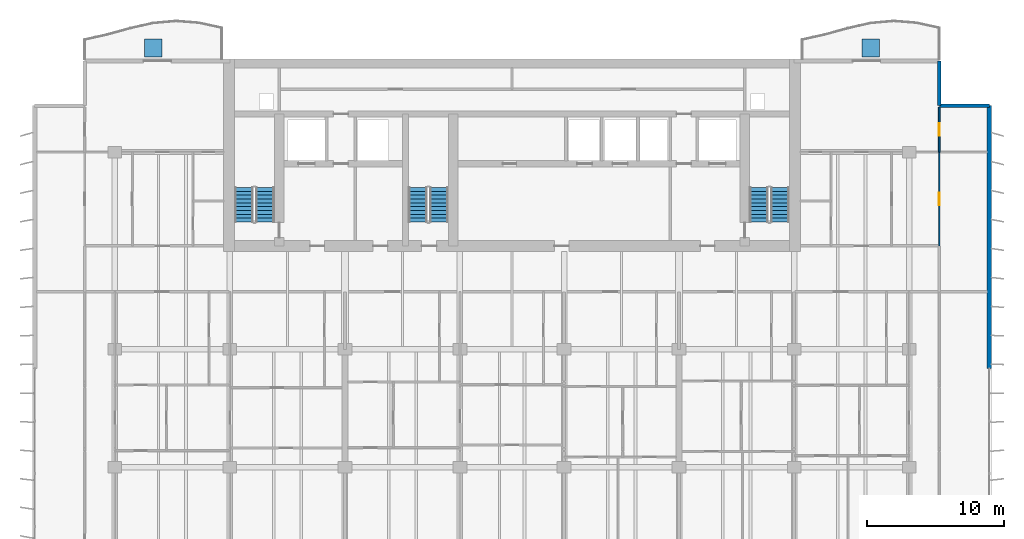
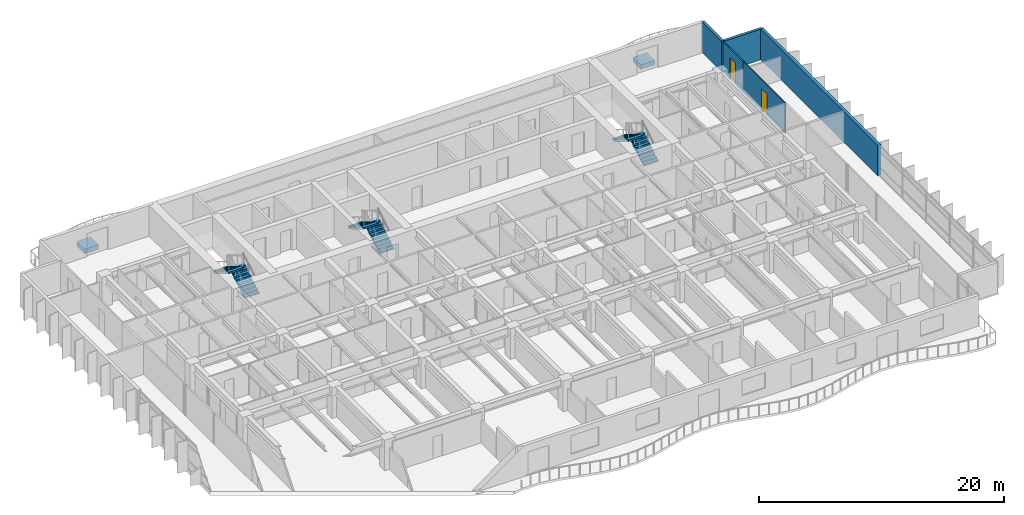
# One storey, part 15 of 19: 6 stair flights, 5 walls, 2 discrete accessories, 2 doors, 2 openings, 3 elements without a shape of their own.
"""IFC4 building model written with IfcOpenShell, lengths in metres."""

from ifc_helpers import new_model, si_unit, direction, frame, frame_2d, origin, origin_2d, place, context, subcontext, project, spatial, polyline, rectangle, outline, extrude, material, layer, layer_set, type_object, element, fill, aggregate, save


model = new_model("IFC4")

# Units and contexts
model_context = context("Model", 3, precision=1e-05, world=origin(), true_north=direction((0.0, 1.0)))
body_context = subcontext(model_context, "Body", "Model", "MODEL_VIEW")
ifc_project = project(units=[si_unit("LENGTHUNIT", "METRE"), si_unit("AREAUNIT", "SQUARE_METRE"), si_unit("VOLUMEUNIT", "CUBIC_METRE"), si_unit("PLANEANGLEUNIT", "RADIAN"), si_unit("MASSUNIT", "GRAM", prefix="KILO")], contexts=[model_context])

# Site, building, storey
site_placement = place(None, origin())
site = spatial("IfcSite", under=ifc_project, at=site_placement, CompositionType="ELEMENT")
building_placement = place(site_placement, origin())
building = spatial("IfcBuilding", under=site, at=building_placement, Name="Caelmar Bay Residences", CompositionType="ELEMENT")
storey_placement = place(building_placement, frame((0.0, 0.0, 115.800048828125)))
storey = spatial("IfcBuildingStorey", under=building, at=storey_placement, Name="L31", CompositionType="ELEMENT", Elevation=115.800048828125)

# Walls
ifc_material_1 = material(Name="Precast concrete f'c 40 MPa (6,000 psi)", Category="concrete")
ifc_layer_1 = layer(ifc_material_1, 0.25)
ifc_layer_set_1 = layer_set([ifc_layer_1], Name="Precast concrete f'c 40 MPa (6,000 psi)")
wall_type_1 = type_object("IfcWallType", Name="W-EXT-250", PredefinedType="ELEMENTEDWALL", material=ifc_layer_set_1)
wall_1_placement = place(storey_placement, frame((70.10009765625, 50.449951171875, 0.0), z_axis=(0.0, 0.0, 1.0), x_axis=(0.0, -1.0, 0.0)))
element("IfcWall", 1, at=wall_1_placement, inside=storey, type_object=wall_type_1, Name="L31 NNE-V Notch Wall", PredefinedType="ELEMENTEDWALL", context=body_context, shape_type="SweptSolid", body=[
    extrude(rectangle(XDim=3.25, YDim=0.25, at=frame_2d((1.625, 0.0))), origin(), (0.0, 0.0, 1.0), 3.050048828125),
])
wall_2_placement = place(storey_placement, frame((70.10009765625, 47.199951171875, 0.0), z_axis=(0.0, 0.0, 1.0), x_axis=(1.0, 0.0, 0.0)))
element("IfcWall", 2, at=wall_2_placement, inside=storey, type_object=wall_type_1, Name="L31 NNE-H Notch Wall", PredefinedType="ELEMENTEDWALL", context=body_context, shape_type="SweptSolid", body=[
    extrude(rectangle(XDim=3.64990234375, YDim=0.25, at=frame_2d((1.824951171875, 0.0))), origin(), (0.0, 0.0, 1.0), 3.050048828125),
])
ifc_layer_2 = layer(ifc_material_1, 0.300048828125)
ifc_layer_set_2 = layer_set([ifc_layer_2], Name="Precast concrete f'c 40 MPa (6,000 psi)")
wall_type_2 = type_object("IfcWallType", Name="W-EXT-300", PredefinedType="STANDARD", material=ifc_layer_set_2)
wall_3_placement = place(storey_placement, frame((73.75, 47.199951171875, 0.0), z_axis=(0.0, 0.0, 1.0), x_axis=(0.0, -1.0, 0.0)))
element("IfcWall", 3, at=wall_3_placement, inside=storey, type_object=wall_type_2, Name="L31 East Rear Exterior Wall", PredefinedType="STANDARD", context=body_context, shape_type="SweptSolid", body=[
    extrude(rectangle(XDim=19.199951171875, YDim=0.300048828125, at=frame_2d((9.60009765625, 0.0))), origin(), (0.0, 0.0, 1.0), 3.050048828125),
])

# Wall, opening, door
ifc_material_2 = material(Name="Anodised bronze framed acoustic sliding study partition 100 mm")
ifc_layer_3 = layer(ifc_material_2, 0.10009765625)
ifc_layer_set_3 = layer_set([ifc_layer_3], Name="Anodised bronze framed acoustic sliding study partition 100 mm")
wall_type_3 = type_object("IfcWallType", Name="W-MOV-100", PredefinedType="MOVABLE", material=ifc_layer_set_3)
wall_4_placement = place(storey_placement, frame((70.10009765625, 36.955078125, 0.0), z_axis=(0.0, 0.0, 1.0), x_axis=(0.0, 1.0, 0.0)))
wall_4 = element("IfcWall", 4, at=wall_4_placement, inside=storey, type_object=wall_type_3, Name="L31 Partition Wall V118", PredefinedType="MOVABLE", context=body_context, shape_type="SweptSolid", body=[
    extrude(rectangle(XDim=6.844970703125, YDim=0.10009765625, at=frame_2d((3.42236328125, 0.0))), origin(), (0.0, 0.0, 1.0), 3.050048828125),
])
opening_1_placement = place(wall_4_placement, frame((2.972412109375, 0.0, 0.0)))
opening_1 = element("IfcOpeningElement", 5, at=opening_1_placement, cuts=wall_4, Name="Opening D-L31-176", PredefinedType="OPENING", context=body_context, shape_type="SweptSolid", body=[
    extrude(rectangle(XDim=0.89990234375, YDim=2.14990234375, at=frame_2d((0.449951171875, 1.074951171875))), frame((0.0, 0.06005859375, 0.0), z_axis=(0.0, -1.0, 0.0), x_axis=(1.0, 0.0, 0.0)), (0.0, 0.0, 1.0), 0.1201171875),
])
ifc_material_3 = material(Name="Solid walnut timber interior door leaf and frame", Category="wood")
ifc_layer_4 = layer(ifc_material_3, 0.050048828125)
ifc_layer_set_4 = layer_set([ifc_layer_4], Name="Solid walnut timber interior door leaf and frame")
door_type = type_object("IfcDoorType", Name="D-ROOM-900", OperationType="NOTDEFINED", PredefinedType="DOOR", material=ifc_layer_set_4)
door_1_placement = place(opening_1_placement, origin())
door_1 = element("IfcDoor", 6, at=door_1_placement, inside=storey, type_object=door_type, Name="L31 Residence EA Sun Study Door", OperationType="SINGLE_SWING_LEFT", OverallHeight=2.14990234375, OverallWidth=0.89990234375, PredefinedType="DOOR", context=body_context, shape_type="SweptSolid", body=[
    extrude(rectangle(XDim=0.89990234375, YDim=2.14990234375, at=frame_2d((0.449951171875, 1.074951171875))), frame((0.0, 0.02490234375, 0.0), z_axis=(0.0, -1.0, 0.0), x_axis=(1.0, 0.0, 0.0)), (0.0, 0.0, 1.0), 0.050048828125),
])
fill(opening_1, door_1)

ifc_material_4 = material(Name="Acoustic metal-stud gypsum partition 120 mm")
ifc_layer_5 = layer(ifc_material_4, 0.1201171875)
ifc_layer_set_5 = layer_set([ifc_layer_5], Name="Acoustic metal-stud gypsum partition 120 mm")
wall_type_4 = type_object("IfcWallType", Name="W-PRT-120", PredefinedType="PARTITIONING", material=ifc_layer_set_5)
wall_5_placement = place(storey_placement, frame((70.10009765625, 43.804931640625, 0.0), z_axis=(0.0, 0.0, 1.0), x_axis=(0.0, 1.0, 0.0)))
wall_5 = element("IfcWall", 7, at=wall_5_placement, inside=storey, type_object=wall_type_4, Name="L31 Partition Wall V119", PredefinedType="PARTITIONING", context=body_context, shape_type="SweptSolid", body=[
    extrude(rectangle(XDim=3.275146484375, YDim=0.1201171875, at=frame_2d((1.6376953125, 0.0))), origin(), (0.0, 0.0, 1.0), 3.050048828125),
])
opening_2_placement = place(wall_5_placement, frame((1.1875, 0.0, 0.0)))
opening_2 = element("IfcOpeningElement", 8, at=opening_2_placement, cuts=wall_5, Name="Opening D-L31-177", PredefinedType="OPENING", context=body_context, shape_type="SweptSolid", body=[
    extrude(rectangle(XDim=0.89990234375, YDim=2.14990234375, at=frame_2d((0.449951171875, 1.074951171875))), frame((0.0, 0.070068359375, 0.0), z_axis=(0.0, -1.0, 0.0), x_axis=(1.0, 0.0, 0.0)), (0.0, 0.0, 1.0), 0.14013671875),
])
door_2_placement = place(opening_2_placement, origin())
door_2 = element("IfcDoor", 9, at=door_2_placement, inside=storey, type_object=door_type, Name="L31 Residence EA North Sitting Alcove Door", OperationType="SINGLE_SWING_RIGHT", OverallHeight=2.14990234375, OverallWidth=0.89990234375, PredefinedType="DOOR", context=body_context, shape_type="SweptSolid", body=[
    extrude(rectangle(XDim=0.89990234375, YDim=2.14990234375, at=frame_2d((0.449951171875, 1.074951171875))), frame((0.0, 0.02490234375, 0.0), z_axis=(0.0, -1.0, 0.0), x_axis=(1.0, 0.0, 0.0)), (0.0, 0.0, 1.0), 0.050048828125),
])
fill(opening_2, door_2)

# Stair, stair flights
ifc_material_5 = material(Name="Concrete f'c 40 MPa (6,000 psi)", Category="concrete")
stair_type = type_object("IfcStairType", Name="ST-TYP-165", PredefinedType="HALF_TURN_STAIR", material=ifc_material_5)
stair_1_placement = place(storey_placement, origin())
stair_1 = element("IfcStair", 10, at=stair_1_placement, inside=storey, type_object=stair_type, Name="L31 West Smokeproof Exit Stair ST1", PredefinedType="HALF_TURN_STAIR")
stair_flight_type = type_object("IfcStairFlightType", Name="STF-1350", PredefinedType="STRAIGHT", material=ifc_material_5)
stair_flight_1_placement = place(storey_placement, frame((20.875, 38.699951171875, 0.0), z_axis=(0.0, 0.0, 1.0), x_axis=(0.0, 1.0, 0.0)))
stair_flight_1 = element("IfcStairFlight", 11, at=stair_flight_1_placement, type_object=stair_flight_type, Name="ST1 flight 1", NumberOfRisers=10, NumberOfTreads=9, PredefinedType="STRAIGHT", RiserHeight=0.165, TreadLength=0.28, context=body_context, shape_type="SweptSolid", body=[
    extrude(outline(polyline([(0.0, 0.0), (0.0, 0.1650390625), (0.280029296875, 0.1650390625), (0.280029296875, 0.330078125), (0.56005859375, 0.330078125), (0.56005859375, 0.4951171875), (0.840087890625, 0.4951171875), (0.840087890625, 0.659912109375), (1.1201171875, 0.659912109375), (1.1201171875, 0.824951171875), (1.39990234375, 0.824951171875), (1.39990234375, 0.989990234375), (1.679931640625, 0.989990234375), (1.679931640625, 1.155029296875), (1.9599609375, 1.155029296875), (1.9599609375, 1.320068359375), (2.239990234375, 1.320068359375), (2.239990234375, 1.485107421875), (2.52001953125, 1.485107421875), (2.52001953125, 1.64990234375), (2.52001953125, 1.31103515625), (0.295166015625, 0.0), (0.0, 0.0)])), frame((0.0, 0.675048828125, 0.0), z_axis=(0.0, -1.0, 0.0), x_axis=(1.0, 0.0, 0.0)), (0.0, 0.0, 1.0), 1.35009765625),
])
stair_flight_2_placement = place(storey_placement, frame((19.324951171875, 41.219970703125, 1.64990234375), z_axis=(0.0, 0.0, 1.0), x_axis=(0.0, -1.0, 0.0)))
stair_flight_2 = element("IfcStairFlight", 12, at=stair_flight_2_placement, type_object=stair_flight_type, Name="ST1 flight 2", NumberOfRisers=10, NumberOfTreads=9, PredefinedType="STRAIGHT", RiserHeight=0.165, TreadLength=0.28, context=body_context, shape_type="SweptSolid", body=[
    extrude(outline(polyline([(0.0, 0.0), (0.0, 0.1650390625), (0.280029296875, 0.1650390625), (0.280029296875, 0.330078125), (0.56005859375, 0.330078125), (0.56005859375, 0.4951171875), (0.840087890625, 0.4951171875), (0.840087890625, 0.659912109375), (1.1201171875, 0.659912109375), (1.1201171875, 0.824951171875), (1.39990234375, 0.824951171875), (1.39990234375, 0.989990234375), (1.679931640625, 0.989990234375), (1.679931640625, 1.155029296875), (1.9599609375, 1.155029296875), (1.9599609375, 1.320068359375), (2.239990234375, 1.320068359375), (2.239990234375, 1.485107421875), (2.52001953125, 1.485107421875), (2.52001953125, 1.64990234375), (2.52001953125, 1.31103515625), (0.295166015625, 0.0), (0.0, 0.0)])), frame((0.0, 0.675048828125, 0.0), z_axis=(0.0, -1.0, 0.0), x_axis=(1.0, 0.0, 0.0)), (0.0, 0.0, 1.0), 1.35009765625),
])
aggregate(stair_1, [stair_flight_1, stair_flight_2])

stair_2_placement = place(storey_placement, origin())
stair_2 = element("IfcStair", 13, at=stair_2_placement, inside=storey, type_object=stair_type, Name="L31 East Smokeproof Exit Stair ST2", PredefinedType="HALF_TURN_STAIR")
stair_flight_3_placement = place(storey_placement, frame((58.47509765625, 38.699951171875, 0.0), z_axis=(0.0, 0.0, 1.0), x_axis=(0.0, 1.0, 0.0)))
stair_flight_3 = element("IfcStairFlight", 14, at=stair_flight_3_placement, type_object=stair_flight_type, Name="ST2 flight 1", NumberOfRisers=10, NumberOfTreads=9, PredefinedType="STRAIGHT", RiserHeight=0.165, TreadLength=0.28, context=body_context, shape_type="SweptSolid", body=[
    extrude(outline(polyline([(0.0, 0.0), (0.0, 0.1650390625), (0.280029296875, 0.1650390625), (0.280029296875, 0.330078125), (0.56005859375, 0.330078125), (0.56005859375, 0.4951171875), (0.840087890625, 0.4951171875), (0.840087890625, 0.659912109375), (1.1201171875, 0.659912109375), (1.1201171875, 0.824951171875), (1.39990234375, 0.824951171875), (1.39990234375, 0.989990234375), (1.679931640625, 0.989990234375), (1.679931640625, 1.155029296875), (1.9599609375, 1.155029296875), (1.9599609375, 1.320068359375), (2.239990234375, 1.320068359375), (2.239990234375, 1.485107421875), (2.52001953125, 1.485107421875), (2.52001953125, 1.64990234375), (2.52001953125, 1.31103515625), (0.295166015625, 0.0), (0.0, 0.0)])), frame((0.0, 0.675048828125, 0.0), z_axis=(0.0, -1.0, 0.0), x_axis=(1.0, 0.0, 0.0)), (0.0, 0.0, 1.0), 1.35009765625),
])
stair_flight_4_placement = place(storey_placement, frame((56.925048828125, 41.219970703125, 1.64990234375), z_axis=(0.0, 0.0, 1.0), x_axis=(0.0, -1.0, 0.0)))
stair_flight_4 = element("IfcStairFlight", 15, at=stair_flight_4_placement, type_object=stair_flight_type, Name="ST2 flight 2", NumberOfRisers=10, NumberOfTreads=9, PredefinedType="STRAIGHT", RiserHeight=0.165, TreadLength=0.28, context=body_context, shape_type="SweptSolid", body=[
    extrude(outline(polyline([(0.0, 0.0), (0.0, 0.1650390625), (0.280029296875, 0.1650390625), (0.280029296875, 0.330078125), (0.56005859375, 0.330078125), (0.56005859375, 0.4951171875), (0.840087890625, 0.4951171875), (0.840087890625, 0.659912109375), (1.1201171875, 0.659912109375), (1.1201171875, 0.824951171875), (1.39990234375, 0.824951171875), (1.39990234375, 0.989990234375), (1.679931640625, 0.989990234375), (1.679931640625, 1.155029296875), (1.9599609375, 1.155029296875), (1.9599609375, 1.320068359375), (2.239990234375, 1.320068359375), (2.239990234375, 1.485107421875), (2.52001953125, 1.485107421875), (2.52001953125, 1.64990234375), (2.52001953125, 1.31103515625), (0.295166015625, 0.0), (0.0, 0.0)])), frame((0.0, 0.675048828125, 0.0), z_axis=(0.0, -1.0, 0.0), x_axis=(1.0, 0.0, 0.0)), (0.0, 0.0, 1.0), 1.35009765625),
])
aggregate(stair_2, [stair_flight_3, stair_flight_4])

stair_3_placement = place(storey_placement, origin())
stair_3 = element("IfcStair", 16, at=stair_3_placement, inside=storey, type_object=stair_type, Name="L31 Central Smokeproof Exit Stair ST3", PredefinedType="HALF_TURN_STAIR")
stair_flight_5_placement = place(storey_placement, frame((33.574951171875, 38.699951171875, 0.0), z_axis=(0.0, 0.0, 1.0), x_axis=(0.0, 1.0, 0.0)))
stair_flight_5 = element("IfcStairFlight", 17, at=stair_flight_5_placement, type_object=stair_flight_type, Name="ST3 flight 1", NumberOfRisers=10, NumberOfTreads=9, PredefinedType="STRAIGHT", RiserHeight=0.165, TreadLength=0.28, context=body_context, shape_type="SweptSolid", body=[
    extrude(outline(polyline([(0.0, 0.0), (0.0, 0.1650390625), (0.280029296875, 0.1650390625), (0.280029296875, 0.330078125), (0.56005859375, 0.330078125), (0.56005859375, 0.4951171875), (0.840087890625, 0.4951171875), (0.840087890625, 0.659912109375), (1.1201171875, 0.659912109375), (1.1201171875, 0.824951171875), (1.39990234375, 0.824951171875), (1.39990234375, 0.989990234375), (1.679931640625, 0.989990234375), (1.679931640625, 1.155029296875), (1.9599609375, 1.155029296875), (1.9599609375, 1.320068359375), (2.239990234375, 1.320068359375), (2.239990234375, 1.485107421875), (2.52001953125, 1.485107421875), (2.52001953125, 1.64990234375), (2.52001953125, 1.31103515625), (0.295166015625, 0.0), (0.0, 0.0)])), frame((0.0, 0.675048828125, 0.0), z_axis=(0.0, -1.0, 0.0), x_axis=(1.0, 0.0, 0.0)), (0.0, 0.0, 1.0), 1.35009765625),
])
stair_flight_6_placement = place(storey_placement, frame((32.02490234375, 41.219970703125, 1.64990234375), z_axis=(0.0, 0.0, 1.0), x_axis=(0.0, -1.0, 0.0)))
stair_flight_6 = element("IfcStairFlight", 18, at=stair_flight_6_placement, type_object=stair_flight_type, Name="ST3 flight 2", NumberOfRisers=10, NumberOfTreads=9, PredefinedType="STRAIGHT", RiserHeight=0.165, TreadLength=0.28, context=body_context, shape_type="SweptSolid", body=[
    extrude(outline(polyline([(0.0, 0.0), (0.0, 0.1650390625), (0.280029296875, 0.1650390625), (0.280029296875, 0.330078125), (0.56005859375, 0.330078125), (0.56005859375, 0.4951171875), (0.840087890625, 0.4951171875), (0.840087890625, 0.659912109375), (1.1201171875, 0.659912109375), (1.1201171875, 0.824951171875), (1.39990234375, 0.824951171875), (1.39990234375, 0.989990234375), (1.679931640625, 0.989990234375), (1.679931640625, 1.155029296875), (1.9599609375, 1.155029296875), (1.9599609375, 1.320068359375), (2.239990234375, 1.320068359375), (2.239990234375, 1.485107421875), (2.52001953125, 1.485107421875), (2.52001953125, 1.64990234375), (2.52001953125, 1.31103515625), (0.295166015625, 0.0), (0.0, 0.0)])), frame((0.0, 0.675048828125, 0.0), z_axis=(0.0, -1.0, 0.0), x_axis=(1.0, 0.0, 0.0)), (0.0, 0.0, 1.0), 1.35009765625),
])
aggregate(stair_3, [stair_flight_5, stair_flight_6])

# Discrete accessories
discrete_accessory_type = type_object("IfcDiscreteAccessoryType", Name="STR-PLANTER-KERB-450", PredefinedType="USERDEFINED", material=ifc_material_1)
for number, where, z_axis, x_axis, name in (
    (19, (12.699951171875, 51.39990234375, 0.0), (0.0, 0.0, 1.0), (1.0, 0.0, 0.0), "L31 north_west Structural Tree Planter Kerb"),
    (20, (65.10009765625, 51.39990234375, 0.0), (0.0, 0.0, 1.0), (1.0, 0.0, 0.0), "L31 north_east Structural Tree Planter Kerb"),
):
    element("IfcDiscreteAccessory", number, at=place(storey_placement, frame(where, z_axis=z_axis, x_axis=x_axis)), inside=storey, type_object=discrete_accessory_type, Name=name, ObjectType="PLANTER", PredefinedType="USERDEFINED", context=body_context, shape_type="SweptSolid", body=[
        extrude(rectangle(XDim=1.300048828125, YDim=1.300048828125, at=origin_2d()), origin(), (0.0, 0.0, 1.0), 0.449951171875),
    ])

save(model, "model.ifc")
